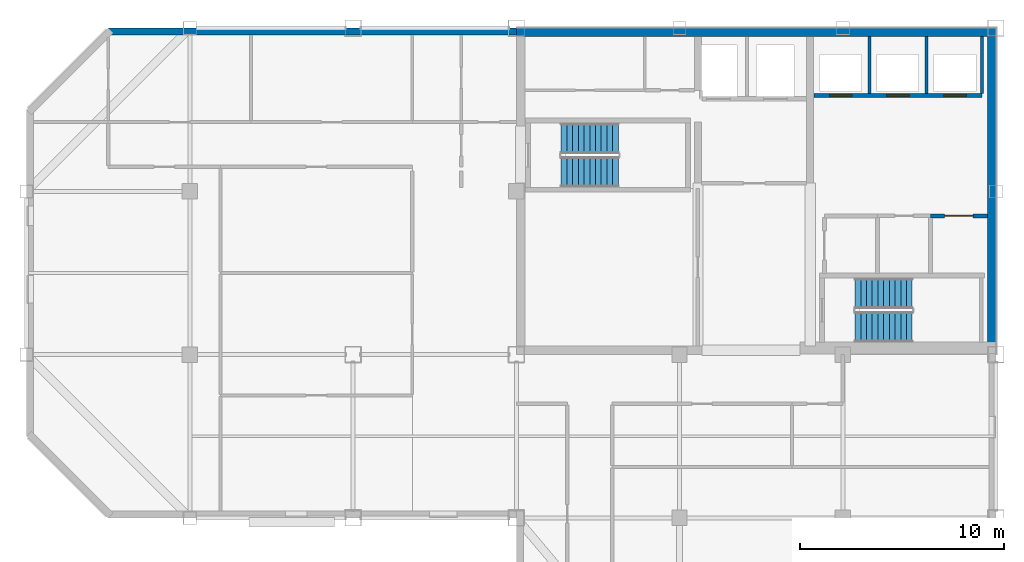
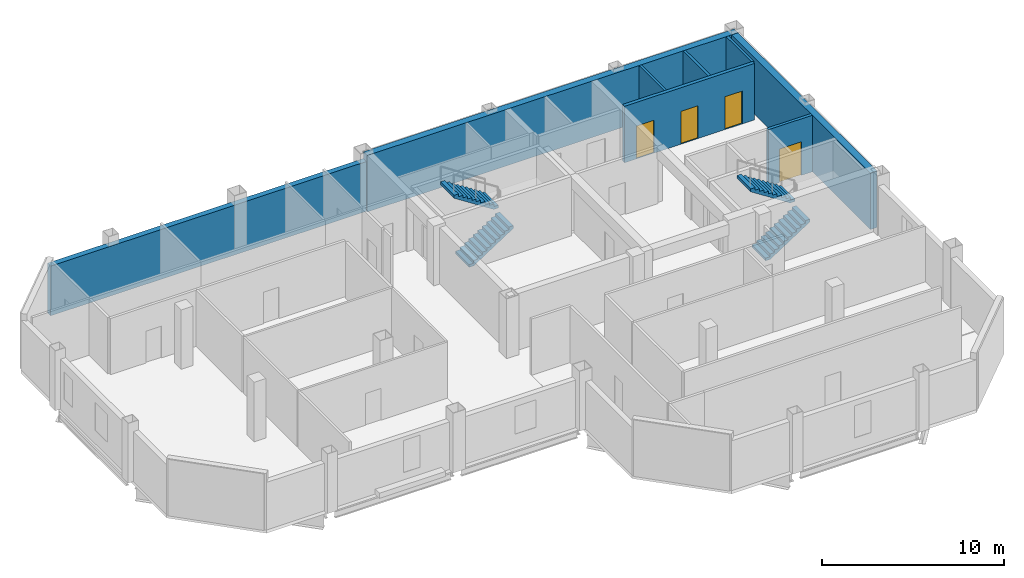
# One storey, part 4 of 7: 8 walls, 4 doors, 4 stair flights, 4 openings, 2 elements without a shape of their own.
"""IFC4 building model written with IfcOpenShell, lengths in metres."""

from ifc_helpers import new_model, si_unit, direction, frame, frame_2d, origin, place, context, subcontext, project, spatial, polyline, rectangle, outline, extrude, material, layer, layer_set, type_object, element, fill, aggregate, save


model = new_model("IFC4")

# Units and contexts
model_context = context("Model", 3, precision=1e-05, world=origin(), true_north=direction((0.0, 1.0)))
body_context = subcontext(model_context, "Body", "Model", "MODEL_VIEW")
ifc_project = project(units=[si_unit("LENGTHUNIT", "METRE"), si_unit("AREAUNIT", "SQUARE_METRE"), si_unit("VOLUMEUNIT", "CUBIC_METRE"), si_unit("PLANEANGLEUNIT", "RADIAN"), si_unit("MASSUNIT", "GRAM", prefix="KILO")], contexts=[model_context])

# Site, building, storey
site_placement = place(None, origin())
site = spatial("IfcSite", under=ifc_project, at=site_placement, CompositionType="ELEMENT")
building_placement = place(site_placement, origin())
building = spatial("IfcBuilding", under=site, at=building_placement, Name="Qianrong Seaharbour Tower", CompositionType="ELEMENT")
storey_placement = place(building_placement, frame((0.0, 0.0, 339.199951171875)))
storey = spatial("IfcBuildingStorey", under=building, at=storey_placement, Name="L82", CompositionType="ELEMENT", Elevation=339.199951171875)

# Walls
ifc_material_1 = material(Name="Concrete C50/60", Category="concrete")
ifc_layer_1 = layer(ifc_material_1, 0.419921875)
ifc_layer_set_1 = layer_set([ifc_layer_1], Name="Concrete C50/60")
wall_type_1 = type_object("IfcWallType", Name="WALL-CORE-420", PredefinedType="SHEAR", material=ifc_layer_set_1)
wall_1_placement = place(storey_placement, frame((40.5, 51.7900390625, 0.0), z_axis=(0.0, 0.0, 1.0), x_axis=(1.0, 0.0, 0.0)))
element("IfcWall", 1, at=wall_1_placement, inside=storey, type_object=wall_type_1, Name="L82 North Core Shear Wall", PredefinedType="SHEAR", context=body_context, shape_type="SweptSolid", body=[
    extrude(rectangle(XDim=23.5, YDim=0.419921875, at=frame_2d((11.75, 0.0))), origin(), (0.0, 0.0, 1.0), 3.78515625),
])
wall_2_placement = place(storey_placement, frame((63.7900390625, 36.320068359375, 0.0), z_axis=(0.0, 0.0, 1.0), x_axis=(0.0, 1.0, 0.0)))
element("IfcWall", 2, at=wall_2_placement, inside=storey, type_object=wall_type_1, Name="L82 East Core Shear Wall", PredefinedType="SHEAR", context=body_context, shape_type="SweptSolid", body=[
    extrude(rectangle(XDim=15.260009765625, YDim=0.419921875, at=frame_2d((7.6298828125, 0.0))), origin(), (0.0, 0.0, 1.0), 3.78515625),
])
ifc_material_2 = material(Name="Unitised buff brick on Precast concrete C45/55", Category="masonry")
ifc_layer_2 = layer(ifc_material_2, 0.340087890625)
ifc_layer_set_2 = layer_set([ifc_layer_2], Name="Unitised buff brick on Precast concrete C45/55")
wall_type_2 = type_object("IfcWallType", Name="WALL-EXT-BRICK-BUFF-340", PredefinedType="SOLIDWALL", material=ifc_layer_set_2)
wall_3_placement = place(storey_placement, frame((20.5, 51.830078125, 0.0), z_axis=(0.0, 0.0, 1.0), x_axis=(1.0, 0.0, 0.0)))
element("IfcWall", 3, at=wall_3_placement, inside=storey, type_object=wall_type_2, Name="L82 Exterior Masonry Facade Wall NORTH_WING", PredefinedType="SOLIDWALL", context=body_context, shape_type="SweptSolid", body=[
    extrude(rectangle(XDim=20.02001953125, YDim=0.340087890625, at=frame_2d((10.010009765625, 0.0))), origin(), (0.0, 0.0, 1.0), 3.3349609375),
])

# Wall, opening, door
ifc_material_3 = material(Name="Double fire-rated gypsum board acoustic partition")
ifc_layer_3 = layer(ifc_material_3, 0.18994140625)
ifc_layer_set_3 = layer_set([ifc_layer_3], Name="Double fire-rated gypsum board acoustic partition")
wall_type_3 = type_object("IfcWallType", Name="WALL-FIRE-PART-190", PredefinedType="PARTITIONING", material=ifc_layer_set_3)
wall_4_placement = place(storey_placement, frame((63.580078125, 42.800048828125, 0.0), z_axis=(0.0, 0.0, 1.0), x_axis=(-1.0, 0.0, 0.0)))
wall_4 = element("IfcWall", 4, at=wall_4_placement, inside=storey, type_object=wall_type_3, Name="L82 Interior Partition Wall 014", PredefinedType="PARTITIONING", context=body_context, shape_type="SweptSolid", body=[
    extrude(rectangle(XDim=2.780029296875, YDim=0.18994140625, at=frame_2d((1.39013671875, 0.0))), origin(), (0.0, 0.0, 1.0), 3.78515625),
])
opening_1_placement = place(wall_4_placement, frame((0.68994140625, 0.0, 0.0)))
opening_1 = element("IfcOpeningElement", 5, at=opening_1_placement, cuts=wall_4, Name="Opening DP-01", PredefinedType="OPENING", context=body_context, shape_type="SweptSolid", body=[
    extrude(rectangle(XDim=1.39990234375, YDim=2.25, at=frame_2d((0.699951171875, 1.125))), frame((0.0, 0.10498046875, 0.0), z_axis=(0.0, -1.0, 0.0), x_axis=(1.0, 0.0, 0.0)), (0.0, 0.0, 1.0), 0.2099609375),
])
ifc_material_4 = material(Name="Acoustic timber and galvanized steel fire door assembly", Category="steel")
door_type_1 = type_object("IfcDoorType", Name="DOOR-PLANT-PAIR-1400x2250", OperationType="DOUBLE_DOOR_SINGLE_SWING", PredefinedType="DOOR", material=ifc_material_4)
door_1_placement = place(opening_1_placement, origin())
door_1 = element("IfcDoor", 6, at=door_1_placement, inside=storey, type_object=door_type_1, Name="L82 Building Metering Room Door", OperationType="DOUBLE_DOOR_SINGLE_SWING", OverallHeight=2.25, OverallWidth=1.39990234375, PredefinedType="DOOR", context=body_context, shape_type="SweptSolid", body=[
    extrude(rectangle(XDim=1.39990234375, YDim=2.25, at=frame_2d((0.699951171875, 1.125))), frame((0.0, 0.02490234375, 0.0), z_axis=(0.0, -1.0, 0.0), x_axis=(1.0, 0.0, 0.0)), (0.0, 0.0, 1.0), 0.050048828125),
])
fill(opening_1, door_1)

# Walls
ifc_material_5 = material(Name="Fire-rated gypsum board on steel studs", Category="steel")
ifc_layer_4 = layer(ifc_material_5, 0.14990234375)
ifc_layer_set_4 = layer_set([ifc_layer_4], Name="Fire-rated gypsum board on steel studs")
wall_type_4 = type_object("IfcWallType", Name="WALL-SHAFT-DIV-150", PredefinedType="PARTITIONING", material=ifc_layer_set_4)
for number, where, z_axis, x_axis, name in (
    (7, (57.800048828125, 48.81005859375, 0.0), (0.0, 0.0, 1.0), (0.0, 1.0, 0.0), "L82 P4 Lift Hoistway Divider 2"),
    (8, (60.60009765625, 48.81005859375, 0.0), (0.0, 0.0, 1.0), (0.0, 1.0, 0.0), "L82 P4 Lift Hoistway Divider 3"),
    (9, (63.320068359375, 48.81005859375, 0.0), (0.0, 0.0, 1.0), (0.0, 1.0, 0.0), "L82 P4 Lift Hoistway Divider 4"),
):
    element("IfcWall", number, at=place(storey_placement, frame(where, z_axis=z_axis, x_axis=x_axis)), inside=storey, type_object=wall_type_4, Name=name, PredefinedType="PARTITIONING", context=body_context, shape_type="SweptSolid", body=[
        extrude(rectangle(XDim=2.77001953125, YDim=0.14990234375, at=frame_2d((1.385009765625, 0.0))), origin(), (0.0, 0.0, 1.0), 3.78515625),
    ])

# Wall, openings, doors
ifc_layer_5 = layer(ifc_material_5, 0.219970703125)
ifc_layer_set_5 = layer_set([ifc_layer_5], Name="Fire-rated gypsum board on steel studs")
wall_type_5 = type_object("IfcWallType", Name="WALL-SHAFT-GYP220", PredefinedType="PARTITIONING", material=ifc_layer_set_5)
wall_5_placement = place(storey_placement, frame((63.320068359375, 48.699951171875, 0.0), z_axis=(0.0, 0.0, 1.0), x_axis=(-1.0, 0.0, 0.0)))
wall_5 = element("IfcWall", 10, at=wall_5_placement, inside=storey, type_object=wall_type_5, Name="L82 P4 Lift Hoistway Front Wall", PredefinedType="PARTITIONING", context=body_context, shape_type="SweptSolid", body=[
    extrude(rectangle(XDim=8.239990234375, YDim=0.219970703125, at=frame_2d((4.1201171875, 0.0))), origin(), (0.0, 0.0, 1.0), 3.78515625),
])
opening_2_placement = place(wall_5_placement, frame((6.3701171875, 0.0, 0.0)))
opening_2 = element("IfcOpeningElement", 11, at=opening_2_placement, cuts=wall_5, Name="Opening LD-02", PredefinedType="OPENING", context=body_context, shape_type="SweptSolid", body=[
    extrude(rectangle(XDim=1.10009765625, YDim=2.199951171875, at=frame_2d((0.550048828125, 1.10009765625))), frame((0.0, 0.1201171875, 0.0), z_axis=(0.0, -1.0, 0.0), x_axis=(1.0, 0.0, 0.0)), (0.0, 0.0, 1.0), 0.239990234375),
])
opening_3_placement = place(wall_5_placement, frame((3.570068359375, 0.0, 0.0)))
opening_3 = element("IfcOpeningElement", 12, at=opening_3_placement, cuts=wall_5, Name="Opening LD-02", PredefinedType="OPENING", context=body_context, shape_type="SweptSolid", body=[
    extrude(rectangle(XDim=1.10009765625, YDim=2.199951171875, at=frame_2d((0.550048828125, 1.10009765625))), frame((0.0, 0.1201171875, 0.0), z_axis=(0.0, -1.0, 0.0), x_axis=(1.0, 0.0, 0.0)), (0.0, 0.0, 1.0), 0.239990234375),
])
opening_4_placement = place(wall_5_placement, frame((0.77001953125, 0.0, 0.0)))
opening_4 = element("IfcOpeningElement", 13, at=opening_4_placement, cuts=wall_5, Name="Opening LD-02", PredefinedType="OPENING", context=body_context, shape_type="SweptSolid", body=[
    extrude(rectangle(XDim=1.10009765625, YDim=2.199951171875, at=frame_2d((0.550048828125, 1.10009765625))), frame((0.0, 0.1201171875, 0.0), z_axis=(0.0, -1.0, 0.0), x_axis=(1.0, 0.0, 0.0)), (0.0, 0.0, 1.0), 0.239990234375),
])
ifc_material_6 = material(Name="Stainless steel SUS316L bi-parting lift landing door", Category="steel")
door_type_2 = type_object("IfcDoorType", Name="DOOR-LIFT-PASS-1100x2200", OperationType="DOUBLE_DOOR_SLIDING", PredefinedType="DOOR", material=ifc_material_6)
door_2_placement = place(opening_2_placement, origin())
door_2 = element("IfcDoor", 14, at=door_2_placement, inside=storey, type_object=door_type_2, Name="L82 PL-4A Lift Landing Door", OperationType="DOUBLE_DOOR_SLIDING", OverallHeight=2.199951171875, OverallWidth=1.10009765625, PredefinedType="DOOR", context=body_context, shape_type="SweptSolid", body=[
    extrude(rectangle(XDim=1.10009765625, YDim=2.199951171875, at=frame_2d((0.550048828125, 1.10009765625))), frame((0.0, 0.02490234375, 0.0), z_axis=(0.0, -1.0, 0.0), x_axis=(1.0, 0.0, 0.0)), (0.0, 0.0, 1.0), 0.050048828125),
])
fill(opening_2, door_2)
door_3_placement = place(opening_3_placement, origin())
door_3 = element("IfcDoor", 15, at=door_3_placement, inside=storey, type_object=door_type_2, Name="L82 PL-4B Lift Landing Door", OperationType="DOUBLE_DOOR_SLIDING", OverallHeight=2.199951171875, OverallWidth=1.10009765625, PredefinedType="DOOR", context=body_context, shape_type="SweptSolid", body=[
    extrude(rectangle(XDim=1.10009765625, YDim=2.199951171875, at=frame_2d((0.550048828125, 1.10009765625))), frame((0.0, 0.02490234375, 0.0), z_axis=(0.0, -1.0, 0.0), x_axis=(1.0, 0.0, 0.0)), (0.0, 0.0, 1.0), 0.050048828125),
])
fill(opening_3, door_3)
door_4_placement = place(opening_4_placement, origin())
door_4 = element("IfcDoor", 16, at=door_4_placement, inside=storey, type_object=door_type_2, Name="L82 PL-4C Lift Landing Door", OperationType="DOUBLE_DOOR_SLIDING", OverallHeight=2.199951171875, OverallWidth=1.10009765625, PredefinedType="DOOR", context=body_context, shape_type="SweptSolid", body=[
    extrude(rectangle(XDim=1.10009765625, YDim=2.199951171875, at=frame_2d((0.550048828125, 1.10009765625))), frame((0.0, 0.02490234375, 0.0), z_axis=(0.0, -1.0, 0.0), x_axis=(1.0, 0.0, 0.0)), (0.0, 0.0, 1.0), 0.050048828125),
])
fill(opening_4, door_4)

# Stair, stair flights
stair_type = type_object("IfcStairType", Name="STAIR-DOGLEG-1500-R22", PredefinedType="HALF_TURN_STAIR", material=ifc_material_1)
stair_1_placement = place(storey_placement, origin())
stair_1 = element("IfcStair", 17, at=stair_1_placement, inside=storey, type_object=stair_type, Name="L82 Protected Escape Stair ST-1", PredefinedType="HALF_TURN_STAIR")
stair_flight_type = type_object("IfcStairFlightType", Name="FLIGHT-STR-1500-R22", PredefinedType="STRAIGHT", material=ifc_material_1)
stair_flight_1_placement = place(storey_placement, frame((42.699951171875, 44.949951171875, 0.0), z_axis=(0.0, 0.0, 1.0), x_axis=(1.0, 0.0, 0.0)))
stair_flight_1 = element("IfcStairFlight", 18, at=stair_flight_1_placement, type_object=stair_flight_type, Name="ST-1 flight 1", NumberOfRisers=11, NumberOfTreads=10, PredefinedType="STRAIGHT", RiserHeight=0.181818182, TreadLength=0.28, context=body_context, shape_type="SweptSolid", body=[
    extrude(outline(polyline([(0.0, 0.0), (0.0, 0.181884765625), (0.280029296875, 0.181884765625), (0.280029296875, 0.363525390625), (0.56005859375, 0.363525390625), (0.56005859375, 0.54541015625), (0.840087890625, 0.54541015625), (0.840087890625, 0.727294921875), (1.1201171875, 0.727294921875), (1.1201171875, 0.9091796875), (1.39990234375, 0.9091796875), (1.39990234375, 1.0908203125), (1.679931640625, 1.0908203125), (1.679931640625, 1.272705078125), (1.9599609375, 1.272705078125), (1.9599609375, 1.45458984375), (2.239990234375, 1.45458984375), (2.239990234375, 1.636474609375), (2.52001953125, 1.636474609375), (2.52001953125, 1.818115234375), (2.800048828125, 1.818115234375), (2.800048828125, 2.0), (2.800048828125, 1.62744140625), (0.293701171875, 0.0), (0.0, 0.0)])), frame((0.0, 0.75, 0.0), z_axis=(0.0, -1.0, 0.0), x_axis=(1.0, 0.0, 0.0)), (0.0, 0.0, 1.0), 1.5),
])
stair_flight_2_placement = place(storey_placement, frame((45.5, 46.60009765625, 2.0), z_axis=(0.0, 0.0, 1.0), x_axis=(-1.0, 0.0, 0.0)))
stair_flight_2 = element("IfcStairFlight", 19, at=stair_flight_2_placement, type_object=stair_flight_type, Name="ST-1 flight 2", NumberOfRisers=11, NumberOfTreads=10, PredefinedType="STRAIGHT", RiserHeight=0.181818182, TreadLength=0.28, context=body_context, shape_type="SweptSolid", body=[
    extrude(outline(polyline([(0.0, 0.0), (0.0, 0.181884765625), (0.280029296875, 0.181884765625), (0.280029296875, 0.363525390625), (0.56005859375, 0.363525390625), (0.56005859375, 0.54541015625), (0.840087890625, 0.54541015625), (0.840087890625, 0.727294921875), (1.1201171875, 0.727294921875), (1.1201171875, 0.9091796875), (1.39990234375, 0.9091796875), (1.39990234375, 1.0908203125), (1.679931640625, 1.0908203125), (1.679931640625, 1.272705078125), (1.9599609375, 1.272705078125), (1.9599609375, 1.45458984375), (2.239990234375, 1.45458984375), (2.239990234375, 1.636474609375), (2.52001953125, 1.636474609375), (2.52001953125, 1.818115234375), (2.800048828125, 1.818115234375), (2.800048828125, 2.0), (2.800048828125, 1.62744140625), (0.293701171875, 0.0), (0.0, 0.0)])), frame((0.0, 0.75, 0.0), z_axis=(0.0, -1.0, 0.0), x_axis=(1.0, 0.0, 0.0)), (0.0, 0.0, 1.0), 1.5),
])
aggregate(stair_1, [stair_flight_1, stair_flight_2])

stair_2_placement = place(storey_placement, origin())
stair_2 = element("IfcStair", 20, at=stair_2_placement, inside=storey, type_object=stair_type, Name="L82 Protected Escape Stair ST-2", PredefinedType="HALF_TURN_STAIR")
stair_flight_3_placement = place(storey_placement, frame((57.10009765625, 37.35009765625, 0.0), z_axis=(0.0, 0.0, 1.0), x_axis=(1.0, 0.0, 0.0)))
stair_flight_3 = element("IfcStairFlight", 21, at=stair_flight_3_placement, type_object=stair_flight_type, Name="ST-2 flight 1", NumberOfRisers=11, NumberOfTreads=10, PredefinedType="STRAIGHT", RiserHeight=0.181818182, TreadLength=0.28, context=body_context, shape_type="SweptSolid", body=[
    extrude(outline(polyline([(0.0, 0.0), (0.0, 0.181884765625), (0.280029296875, 0.181884765625), (0.280029296875, 0.363525390625), (0.56005859375, 0.363525390625), (0.56005859375, 0.54541015625), (0.840087890625, 0.54541015625), (0.840087890625, 0.727294921875), (1.1201171875, 0.727294921875), (1.1201171875, 0.9091796875), (1.39990234375, 0.9091796875), (1.39990234375, 1.0908203125), (1.679931640625, 1.0908203125), (1.679931640625, 1.272705078125), (1.9599609375, 1.272705078125), (1.9599609375, 1.45458984375), (2.239990234375, 1.45458984375), (2.239990234375, 1.636474609375), (2.52001953125, 1.636474609375), (2.52001953125, 1.818115234375), (2.800048828125, 1.818115234375), (2.800048828125, 2.0), (2.800048828125, 1.62744140625), (0.293701171875, 0.0), (0.0, 0.0)])), frame((0.0, 0.75, 0.0), z_axis=(0.0, -1.0, 0.0), x_axis=(1.0, 0.0, 0.0)), (0.0, 0.0, 1.0), 1.5),
])
stair_flight_4_placement = place(storey_placement, frame((59.89990234375, 39.0, 2.0), z_axis=(0.0, 0.0, 1.0), x_axis=(-1.0, 0.0, 0.0)))
stair_flight_4 = element("IfcStairFlight", 22, at=stair_flight_4_placement, type_object=stair_flight_type, Name="ST-2 flight 2", NumberOfRisers=11, NumberOfTreads=10, PredefinedType="STRAIGHT", RiserHeight=0.181818182, TreadLength=0.28, context=body_context, shape_type="SweptSolid", body=[
    extrude(outline(polyline([(0.0, 0.0), (0.0, 0.181884765625), (0.280029296875, 0.181884765625), (0.280029296875, 0.363525390625), (0.56005859375, 0.363525390625), (0.56005859375, 0.54541015625), (0.840087890625, 0.54541015625), (0.840087890625, 0.727294921875), (1.1201171875, 0.727294921875), (1.1201171875, 0.9091796875), (1.39990234375, 0.9091796875), (1.39990234375, 1.0908203125), (1.679931640625, 1.0908203125), (1.679931640625, 1.272705078125), (1.9599609375, 1.272705078125), (1.9599609375, 1.45458984375), (2.239990234375, 1.45458984375), (2.239990234375, 1.636474609375), (2.52001953125, 1.636474609375), (2.52001953125, 1.818115234375), (2.800048828125, 1.818115234375), (2.800048828125, 2.0), (2.800048828125, 1.62744140625), (0.293701171875, 0.0), (0.0, 0.0)])), frame((0.0, 0.75, 0.0), z_axis=(0.0, -1.0, 0.0), x_axis=(1.0, 0.0, 0.0)), (0.0, 0.0, 1.0), 1.5),
])
aggregate(stair_2, [stair_flight_3, stair_flight_4])

save(model, "model.ifc")
